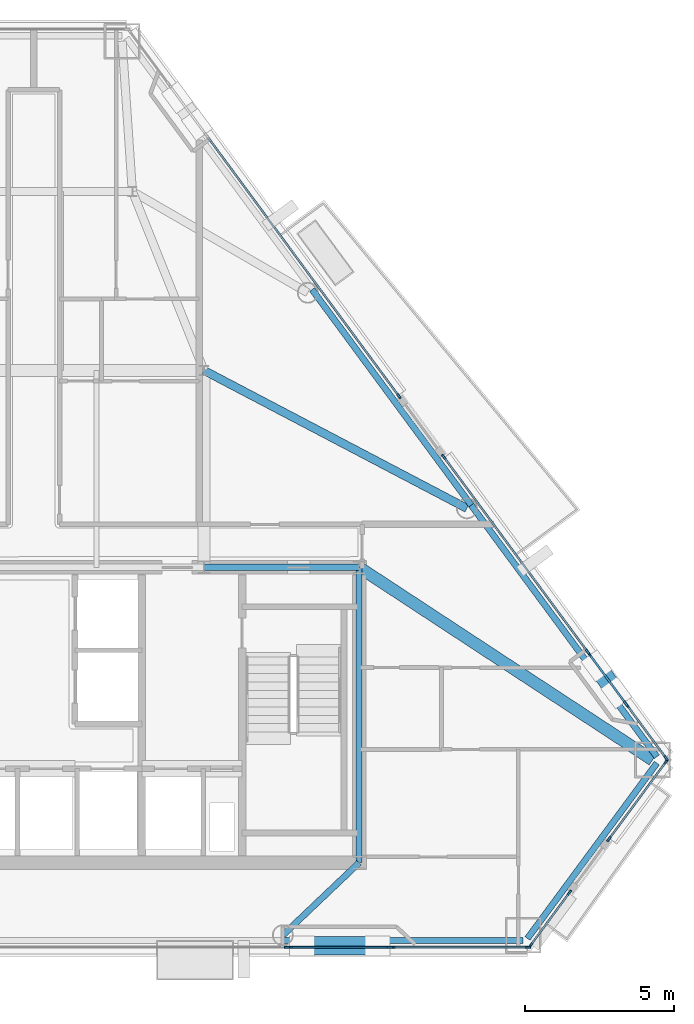
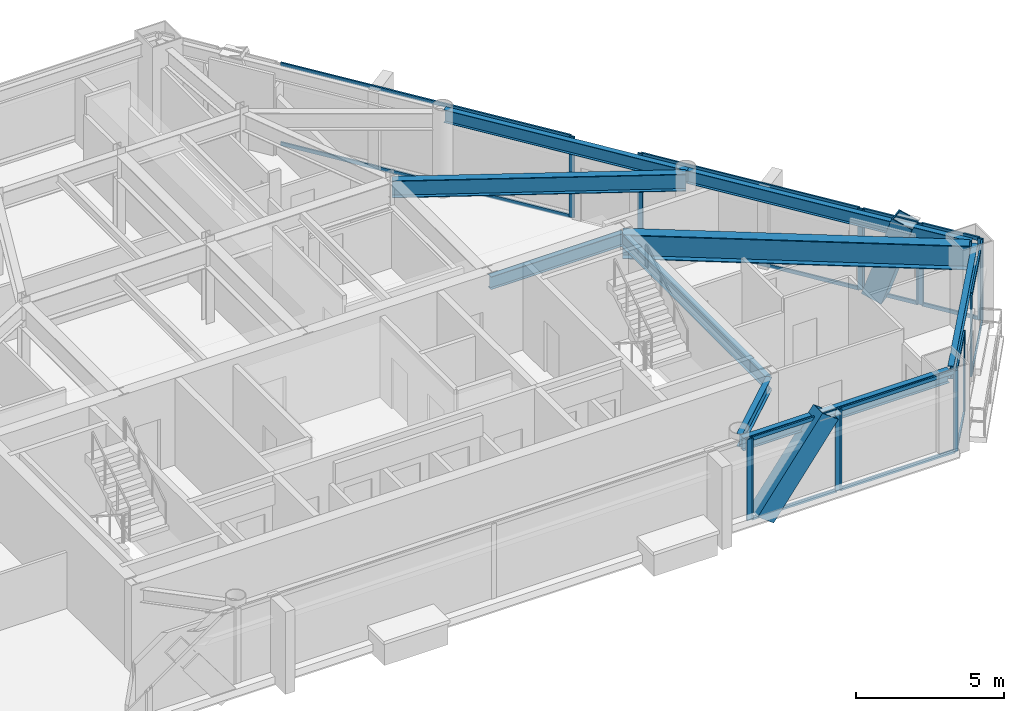
# One storey, part 5 of 11: 34 members, 9 beams, 9 elements without a shape of their own.
"""IFC4 building model written with IfcOpenShell, lengths in metres."""

from ifc_helpers import new_model, si_unit, direction, frame, origin, origin_2d, place, context, subcontext, project, spatial, rectangle, hollow_rectangle, i_section, extrude, material, layer, layer_set, material_profile, profile_set, type_object, element, aggregate, save


model = new_model("IFC4")

# Units and contexts
model_context = context("Model", 3, precision=1e-05, world=origin(), true_north=direction((0.0, 1.0)))
body_context = subcontext(model_context, "Body", "Model", "MODEL_VIEW")
ifc_project = project(units=[si_unit("LENGTHUNIT", "METRE"), si_unit("AREAUNIT", "SQUARE_METRE"), si_unit("VOLUMEUNIT", "CUBIC_METRE"), si_unit("PLANEANGLEUNIT", "RADIAN"), si_unit("MASSUNIT", "GRAM", prefix="KILO")], contexts=[model_context])

# Site, building, storey
site_placement = place(None, origin())
site = spatial("IfcSite", under=ifc_project, at=site_placement, CompositionType="ELEMENT")
building_placement = place(site_placement, origin())
building = spatial("IfcBuilding", under=site, at=building_placement, Name="Talgorran Terracotta Tower", CompositionType="ELEMENT")
storey_placement = place(building_placement, frame((0.0, 0.0, 161.699951171875)))
storey = spatial("IfcBuildingStorey", under=building, at=storey_placement, Name="L42", CompositionType="ELEMENT", Elevation=161.699951171875)

# Beams
ifc_material_1 = material(Name="Steel Grade 350 (350L0)", Category="steel")
ifc_material_profile_1 = material_profile(ifc_material_1, i_section(OverallWidth=0.39990234375, OverallDepth=1.0, WebThickness=0.01611328125, FlangeThickness=0.031005859375, at=origin_2d()), Name="1000WB296")
ifc_profile_set_1 = profile_set([ifc_material_profile_1], Name="Steel Grade 350 (350L0)")
beam_type_1 = type_object("IfcBeamType", Name="BM_1000WB296", PredefinedType="BEAM", material=ifc_profile_set_1)
beam_1_placement = place(storey_placement, frame((12.39990234375, -4.199951171875, 2.85009765625), z_axis=(0.836013696093, -0.548708574696, 0.0), x_axis=(0.548708574696, 0.836013696093, 0.0)))
element("IfcBeam", 1, at=beam_1_placement, inside=storey, type_object=beam_type_1, Name="L42 Floor Girder G18", PredefinedType="BEAM", context=body_context, shape_type="SweptSolid", body=[
    extrude(i_section(OverallWidth=0.39990234375, OverallDepth=1.0, WebThickness=0.01611328125, FlangeThickness=0.031005859375, at=origin_2d()), origin(), (0.0, 0.0, 1.0), 11.76318359375),
])
ifc_material_2 = material(Name="Steel S355 (300PLUS)", Category="steel")
ifc_material_profile_2 = material_profile(ifc_material_2, i_section(OverallWidth=0.27490234375, OverallDepth=0.7080078125, WebThickness=0.011962890625, FlangeThickness=0.02490234375, at=origin_2d()), Name="700WB173")
ifc_profile_set_2 = profile_set([ifc_material_profile_2], Name="Steel S355 (300PLUS)")
beam_type_2 = type_object("IfcBeamType", Name="BM_700WB173", PredefinedType="BEAM", material=ifc_profile_set_2)
beam_2_placement = place(storey_placement, frame((7.199951171875, 2.39990234375, 2.99609375), z_axis=(0.885527866822, -0.464586264414, 0.0), x_axis=(0.464586264414, 0.885527866822, 0.0)))
element("IfcBeam", 2, at=beam_2_placement, inside=storey, type_object=beam_type_2, Name="L42 Floor Girder G07", PredefinedType="BEAM", context=body_context, shape_type="SweptSolid", body=[
    extrude(i_section(OverallWidth=0.27490234375, OverallDepth=0.7080078125, WebThickness=0.011962890625, FlangeThickness=0.02490234375, at=origin_2d()), origin(), (0.0, 0.0, 1.0), 9.951416015625),
])
ifc_material_profile_3 = material_profile(ifc_material_2, i_section(OverallWidth=0.209228515625, OverallDepth=0.532958984375, WebThickness=0.01025390625, FlangeThickness=0.015625, at=origin_2d()), Name="530UB92.4")
ifc_profile_set_3 = profile_set([ifc_material_profile_3], Name="Steel S355 (300PLUS)")
beam_type_3 = type_object("IfcBeamType", Name="BM_SP_530UB92", PredefinedType="SPANDREL", material=ifc_profile_set_3)
beam_3_placement = place(storey_placement, frame((9.843994140625, -16.7099609375, 3.08349609375), z_axis=(1.0, 0.0, 0.0), x_axis=(0.0, 1.0, 0.0)))
element("IfcBeam", 3, at=beam_3_placement, inside=storey, type_object=beam_type_3, Name="L42 Perimeter Spandrel Beam FC2-MC3", PredefinedType="SPANDREL", context=body_context, shape_type="SweptSolid", body=[
    extrude(i_section(OverallWidth=0.209228515625, OverallDepth=0.532958984375, WebThickness=0.01025390625, FlangeThickness=0.015625, at=origin_2d()), origin(), (0.0, 0.0, 1.0), 8.05419921875),
])
beam_4_placement = place(storey_placement, frame((18.043212890625, -16.636962890625, 3.08349609375), z_axis=(0.593765719161, 0.804637974961, 0.0), x_axis=(-0.804637974961, 0.593765719161, 0.0)))
element("IfcBeam", 4, at=beam_4_placement, inside=storey, type_object=beam_type_3, Name="L42 Perimeter Spandrel Beam MC3-MC4", PredefinedType="SPANDREL", context=body_context, shape_type="SweptSolid", body=[
    extrude(i_section(OverallWidth=0.209228515625, OverallDepth=0.532958984375, WebThickness=0.01025390625, FlangeThickness=0.015625, at=origin_2d()), origin(), (0.0, 0.0, 1.0), 7.302001953125),
])
beam_5_placement = place(storey_placement, frame((22.37890625, -10.547607421875, 3.08349609375), z_axis=(-0.593786218479, 0.804622847516, 0.0), x_axis=(-0.804622847516, -0.593786218479, 0.0)))
element("IfcBeam", 5, at=beam_5_placement, inside=storey, type_object=beam_type_3, Name="L42 Perimeter Spandrel Beam MC4-FC3", PredefinedType="SPANDREL", context=body_context, shape_type="SweptSolid", body=[
    extrude(i_section(OverallWidth=0.209228515625, OverallDepth=0.532958984375, WebThickness=0.01025390625, FlangeThickness=0.015625, at=origin_2d()), origin(), (0.0, 0.0, 1.0), 10.478271484375),
])
beam_6_placement = place(storey_placement, frame((16.156982421875, -2.116455078125, 3.08349609375), z_axis=(-0.593775624387, 0.804630665513, 0.0), x_axis=(-0.804630665513, -0.593775624387, 0.0)))
element("IfcBeam", 6, at=beam_6_placement, inside=storey, type_object=beam_type_3, Name="L42 Perimeter Spandrel Beam FC3-FC4", PredefinedType="SPANDREL", context=body_context, shape_type="SweptSolid", body=[
    extrude(i_section(OverallWidth=0.209228515625, OverallDepth=0.532958984375, WebThickness=0.01025390625, FlangeThickness=0.015625, at=origin_2d()), origin(), (0.0, 0.0, 1.0), 8.9814453125),
])
beam_7_placement = place(storey_placement, frame((12.39990234375, -14.10009765625, 3.08349609375), z_axis=(-0.724741849636, -0.689020501426, 0.0), x_axis=(0.689020501426, -0.724741849636, 0.0)))
element("IfcBeam", 7, at=beam_7_placement, inside=storey, type_object=beam_type_3, Name="L42 South-East Core Tie Beam", PredefinedType="SPANDREL", context=body_context, shape_type="SweptSolid", body=[
    extrude(i_section(OverallWidth=0.209228515625, OverallDepth=0.532958984375, WebThickness=0.01025390625, FlangeThickness=0.015625, at=origin_2d()), origin(), (0.0, 0.0, 1.0), 3.526611328125),
])
beam_8_placement = place(storey_placement, frame((12.39990234375, -14.10009765625, 3.08349609375), z_axis=(0.0, 1.0, 0.0), x_axis=(-1.0, 0.0, 0.0)))
element("IfcBeam", 8, at=beam_8_placement, inside=storey, type_object=beam_type_3, Name="L42 Core Frame Beam CFE", PredefinedType="SPANDREL", context=body_context, shape_type="SweptSolid", body=[
    extrude(i_section(OverallWidth=0.209228515625, OverallDepth=0.532958984375, WebThickness=0.01025390625, FlangeThickness=0.015625, at=origin_2d()), origin(), (0.0, 0.0, 1.0), 9.900146484375),
])
beam_9_placement = place(storey_placement, frame((7.199951171875, -4.199951171875, 3.08349609375), z_axis=(1.0, 0.0, 0.0), x_axis=(0.0, 1.0, 0.0)))
element("IfcBeam", 9, at=beam_9_placement, inside=storey, type_object=beam_type_3, Name="L42 Core Frame Beam CFN4", PredefinedType="SPANDREL", context=body_context, shape_type="SweptSolid", body=[
    extrude(i_section(OverallWidth=0.209228515625, OverallDepth=0.532958984375, WebThickness=0.01025390625, FlangeThickness=0.015625, at=origin_2d()), origin(), (0.0, 0.0, 1.0), 5.199951171875),
])

# Members
ifc_material_profile_4 = material_profile(ifc_material_1, hollow_rectangle(XDim=0.6201171875, YDim=0.780029296875, WallThickness=0.0419921875, at=origin_2d()), Name="WBOX780X620X42")
ifc_profile_set_4 = profile_set([ifc_material_profile_4], Name="Steel Grade 350 (350L0)")
member_type_1 = type_object("IfcMemberType", Name="MB_MEGA_780", PredefinedType="BRACE", material=ifc_profile_set_4)
member_1_placement = place(storey_placement, frame((10.486328125, -16.889892578125, -0.02490234375), z_axis=(0.597176273235, 0.0, 0.802110029039), x_axis=(0.0, 1.0, 0.0)))
element("IfcMember", 10, at=member_1_placement, inside=storey, type_object=member_type_1, Name="L42 Exterior Face Mega-Brace MB-2 (SEF)", PredefinedType="BRACE", context=body_context, shape_type="SweptSolid", body=[
    extrude(hollow_rectangle(XDim=0.6201171875, YDim=0.780029296875, WallThickness=0.0419921875, at=origin_2d()), origin(), (0.0, 0.0, 1.0), 4.23876953125),
])
member_2_placement = place(storey_placement, frame((20.35400390625, -7.500732421875, -0.02490234375), z_axis=(0.186398629724, -0.252599459812, 0.949446714534), x_axis=(0.80464078172, 0.59376191558, 0.0)))
element("IfcMember", 11, at=member_2_placement, inside=storey, type_object=member_type_1, Name="L42 Exterior Face Mega-Brace MB-2 (NEL)", PredefinedType="BRACE", context=body_context, shape_type="SweptSolid", body=[
    extrude(hollow_rectangle(XDim=0.6201171875, YDim=0.780029296875, WallThickness=0.0419921875, at=origin_2d()), origin(), (0.0, 0.0, 1.0), 3.580810546875),
])

# Curtain wall, member
ifc_material_3 = material(Name="Unitised Low-E Double Glazing", Category="glass")
ifc_layer = layer(ifc_material_3, 0.199951171875, Name="CW_SYS2_RES_LOW")
ifc_layer_set = layer_set([ifc_layer], Name="Unitised Low-E Double Glazing")
curtain_wall_type = type_object("IfcCurtainWallType", Name="CW_SYS2_RES_LOW", PredefinedType="NOTDEFINED", material=ifc_layer_set)
curtain_wall_1_placement = place(storey_placement, origin())
curtain_wall_1 = element("IfcCurtainWall", 12, at=curtain_wall_1_placement, inside=storey, type_object=curtain_wall_type, Name="CW-L42-F1C", PredefinedType="NOTDEFINED")
ifc_material_4 = material(Name="Architectural Aluminium 6063-T6", Category="aluminium")
ifc_material_profile_5 = material_profile(ifc_material_4, rectangle(XDim=0.06494140625, YDim=0.18505859375, at=origin_2d()), Name="CWM65X185")
ifc_profile_set_5 = profile_set([ifc_material_profile_5], Name="Architectural Aluminium 6063-T6")
member_type_2 = type_object("IfcMemberType", Name="MUL_65X185", PredefinedType="MULLION", material=ifc_profile_set_5)
member_3_placement = place(storey_placement, frame((9.986083984375, -16.929931640625, 0.0), z_axis=(0.0, 0.0, 1.0), x_axis=(0.0, 1.0, 0.0)))
member_3 = element("IfcMember", 13, at=member_3_placement, type_object=member_type_2, Name="CW-L42-1C mullion 3", PredefinedType="MULLION", context=body_context, shape_type="SweptSolid", body=[
    extrude(rectangle(XDim=0.06494140625, YDim=0.18505859375, at=origin_2d()), origin(), (0.0, 0.0, 1.0), 3.35009765625),
])
aggregate(curtain_wall_1, [member_3])

# Curtain wall, members
curtain_wall_2_placement = place(storey_placement, origin())
curtain_wall_2 = element("IfcCurtainWall", 14, at=curtain_wall_2_placement, inside=storey, type_object=curtain_wall_type, Name="CW-L42-F1D", PredefinedType="NOTDEFINED")
member_4_placement = place(storey_placement, frame((10.06103515625, -16.929931640625, 0.0), z_axis=(0.0, 0.0, 1.0), x_axis=(0.0, 1.0, 0.0)))
member_4 = element("IfcMember", 15, at=member_4_placement, type_object=member_type_2, Name="CW-L42-1D mullion 1", PredefinedType="MULLION", context=body_context, shape_type="SweptSolid", body=[
    extrude(rectangle(XDim=0.06494140625, YDim=0.18505859375, at=origin_2d()), origin(), (0.0, 0.0, 1.0), 3.35009765625),
])
member_5_placement = place(storey_placement, frame((13.44287109375, -16.929931640625, 0.0), z_axis=(0.0, 0.0, 1.0), x_axis=(0.0, 1.0, 0.0)))
member_5 = element("IfcMember", 16, at=member_5_placement, type_object=member_type_2, Name="CW-L42-1D mullion 2", PredefinedType="MULLION", context=body_context, shape_type="SweptSolid", body=[
    extrude(rectangle(XDim=0.06494140625, YDim=0.18505859375, at=origin_2d()), origin(), (0.0, 0.0, 1.0), 3.35009765625),
])

curtain_wall_3_placement = place(storey_placement, origin())
curtain_wall_3 = element("IfcCurtainWall", 17, at=curtain_wall_3_placement, inside=storey, type_object=curtain_wall_type, Name="CW-L42-F1E", PredefinedType="NOTDEFINED")
member_6_placement = place(storey_placement, frame((13.517822265625, -16.929931640625, 0.0), z_axis=(0.0, 0.0, 1.0), x_axis=(0.0, 1.0, 0.0)))
member_6 = element("IfcMember", 18, at=member_6_placement, type_object=member_type_2, Name="CW-L42-1E mullion 1", PredefinedType="MULLION", context=body_context, shape_type="SweptSolid", body=[
    extrude(rectangle(XDim=0.06494140625, YDim=0.18505859375, at=origin_2d()), origin(), (0.0, 0.0, 1.0), 3.35009765625),
])
member_7_placement = place(storey_placement, frame((18.067626953125, -16.929931640625, 0.0), z_axis=(0.0, 0.0, 1.0), x_axis=(0.0, 1.0, 0.0)))
member_7 = element("IfcMember", 19, at=member_7_placement, type_object=member_type_2, Name="CW-L42-1E mullion 2", PredefinedType="MULLION", context=body_context, shape_type="SweptSolid", body=[
    extrude(rectangle(XDim=0.06494140625, YDim=0.18505859375, at=origin_2d()), origin(), (0.0, 0.0, 1.0), 3.35009765625),
])

curtain_wall_4_placement = place(storey_placement, origin())
curtain_wall_4 = element("IfcCurtainWall", 20, at=curtain_wall_4_placement, inside=storey, type_object=curtain_wall_type, Name="CW-L42-F30", PredefinedType="NOTDEFINED")
member_8_placement = place(storey_placement, frame((18.143310546875, -16.87158203125, 0.0), z_axis=(0.0, 0.0, 1.0), x_axis=(-0.80463283964, 0.593772678196, 0.0)))
member_8 = element("IfcMember", 21, at=member_8_placement, type_object=member_type_2, Name="CW-L42-30 mullion 1", PredefinedType="MULLION", context=body_context, shape_type="SweptSolid", body=[
    extrude(rectangle(XDim=0.06494140625, YDim=0.18505859375, at=origin_2d()), origin(), (0.0, 0.0, 1.0), 3.35009765625),
])
member_9_placement = place(storey_placement, frame((19.44970703125, -15.1015625, 0.0), z_axis=(0.0, 0.0, 1.0), x_axis=(-0.80463283964, 0.593772678196, 0.0)))
member_9 = element("IfcMember", 22, at=member_9_placement, type_object=member_type_2, Name="CW-L42-30 mullion 2", PredefinedType="MULLION", context=body_context, shape_type="SweptSolid", body=[
    extrude(rectangle(XDim=0.06494140625, YDim=0.18505859375, at=origin_2d()), origin(), (0.0, 0.0, 1.0), 3.35009765625),
])

curtain_wall_5_placement = place(storey_placement, origin())
curtain_wall_5 = element("IfcCurtainWall", 23, at=curtain_wall_5_placement, inside=storey, type_object=curtain_wall_type, Name="CW-L42-F31", PredefinedType="NOTDEFINED")
member_10_placement = place(storey_placement, frame((20.770751953125, -13.31103515625, 0.0), z_axis=(0.0, 0.0, 1.0), x_axis=(-0.804620699263, 0.593789129504, 0.0)))
member_10 = element("IfcMember", 24, at=member_10_placement, type_object=member_type_2, Name="CW-L42-31 mullion 1", PredefinedType="MULLION", context=body_context, shape_type="SweptSolid", body=[
    extrude(rectangle(XDim=0.06494140625, YDim=0.18505859375, at=origin_2d()), origin(), (0.0, 0.0, 1.0), 3.35009765625),
])
member_11_placement = place(storey_placement, frame((22.688232421875, -10.712890625, 0.0), z_axis=(0.0, 0.0, 1.0), x_axis=(-0.804620699263, 0.593789129504, 0.0)))
member_11 = element("IfcMember", 25, at=member_11_placement, type_object=member_type_2, Name="CW-L42-31 mullion 2", PredefinedType="MULLION", context=body_context, shape_type="SweptSolid", body=[
    extrude(rectangle(XDim=0.06494140625, YDim=0.18505859375, at=origin_2d()), origin(), (0.0, 0.0, 1.0), 3.35009765625),
])

curtain_wall_6_placement = place(storey_placement, origin())
curtain_wall_6 = element("IfcCurtainWall", 26, at=curtain_wall_6_placement, inside=storey, type_object=curtain_wall_type, Name="CW-L42-F40", PredefinedType="NOTDEFINED")
member_12_placement = place(storey_placement, frame((22.688232421875, -10.59619140625, 0.0), z_axis=(0.0, 0.0, 1.0), x_axis=(-0.804617372813, -0.593793637022, 0.0)))
member_12 = element("IfcMember", 27, at=member_12_placement, type_object=member_type_2, Name="CW-L42-40 mullion 1", PredefinedType="MULLION", context=body_context, shape_type="SweptSolid", body=[
    extrude(rectangle(XDim=0.06494140625, YDim=0.18505859375, at=origin_2d()), origin(), (0.0, 0.0, 1.0), 3.35009765625),
])
member_13_placement = place(storey_placement, frame((21.385009765625, -8.830322265625, 0.0), z_axis=(0.0, 0.0, 1.0), x_axis=(-0.804617372813, -0.593793637022, 0.0)))
member_13 = element("IfcMember", 28, at=member_13_placement, type_object=member_type_2, Name="CW-L42-40 mullion 2", PredefinedType="MULLION", context=body_context, shape_type="SweptSolid", body=[
    extrude(rectangle(XDim=0.06494140625, YDim=0.18505859375, at=origin_2d()), origin(), (0.0, 0.0, 1.0), 3.35009765625),
])

curtain_wall_7_placement = place(storey_placement, origin())
curtain_wall_7 = element("IfcCurtainWall", 29, at=curtain_wall_7_placement, inside=storey, type_object=curtain_wall_type, Name="CW-L42-F40B", PredefinedType="NOTDEFINED")
member_14_placement = place(storey_placement, frame((21.340576171875, -8.77001953125, 0.0), z_axis=(0.0, 0.0, 1.0), x_axis=(-0.804620536141, -0.593789350545, 0.0)))
member_14 = element("IfcMember", 30, at=member_14_placement, type_object=member_type_2, Name="CW-L42-40B mullion 1", PredefinedType="MULLION", context=body_context, shape_type="SweptSolid", body=[
    extrude(rectangle(XDim=0.06494140625, YDim=0.18505859375, at=origin_2d()), origin(), (0.0, 0.0, 1.0), 3.35009765625),
])
member_15_placement = place(storey_placement, frame((20.099609375, -7.08837890625, 0.0), z_axis=(0.0, 0.0, 1.0), x_axis=(-0.804620536141, -0.593789350545, 0.0)))
member_15 = element("IfcMember", 31, at=member_15_placement, type_object=member_type_2, Name="CW-L42-40B mullion 2", PredefinedType="MULLION", context=body_context, shape_type="SweptSolid", body=[
    extrude(rectangle(XDim=0.06494140625, YDim=0.18505859375, at=origin_2d()), origin(), (0.0, 0.0, 1.0), 3.35009765625),
])

curtain_wall_8_placement = place(storey_placement, origin())
curtain_wall_8 = element("IfcCurtainWall", 32, at=curtain_wall_8_placement, inside=storey, type_object=curtain_wall_type, Name="CW-L42-F40C", PredefinedType="NOTDEFINED")
member_16_placement = place(storey_placement, frame((20.054931640625, -7.028076171875, 0.0), z_axis=(0.0, 0.0, 1.0), x_axis=(-0.804623837747, -0.593784876642, 0.0)))
member_16 = element("IfcMember", 33, at=member_16_placement, type_object=member_type_2, Name="CW-L42-40C mullion 1", PredefinedType="MULLION", context=body_context, shape_type="SweptSolid", body=[
    extrude(rectangle(XDim=0.06494140625, YDim=0.18505859375, at=origin_2d()), origin(), (0.0, 0.0, 1.0), 3.35009765625),
])
member_17_placement = place(storey_placement, frame((15.23388671875, -0.4951171875, 0.0), z_axis=(0.0, 0.0, 1.0), x_axis=(-0.804623837747, -0.593784876642, 0.0)))
member_17 = element("IfcMember", 34, at=member_17_placement, type_object=member_type_2, Name="CW-L42-40C mullion 2", PredefinedType="MULLION", context=body_context, shape_type="SweptSolid", body=[
    extrude(rectangle(XDim=0.06494140625, YDim=0.18505859375, at=origin_2d()), origin(), (0.0, 0.0, 1.0), 3.35009765625),
])

# Curtain wall, member
curtain_wall_9_placement = place(storey_placement, origin())
curtain_wall_9 = element("IfcCurtainWall", 35, at=curtain_wall_9_placement, inside=storey, type_object=curtain_wall_type, Name="CW-L42-F41", PredefinedType="NOTDEFINED")
member_18_placement = place(storey_placement, frame((13.734619140625, 1.53662109375, 0.0), z_axis=(0.0, 0.0, 1.0), x_axis=(-0.804623873719, -0.593784827898, 0.0)))
member_18 = element("IfcMember", 36, at=member_18_placement, type_object=member_type_2, Name="CW-L42-41 mullion 1", PredefinedType="MULLION", context=body_context, shape_type="SweptSolid", body=[
    extrude(rectangle(XDim=0.06494140625, YDim=0.18505859375, at=origin_2d()), origin(), (0.0, 0.0, 1.0), 3.35009765625),
])

# Member
ifc_material_profile_6 = material_profile(ifc_material_4, rectangle(XDim=0.06494140625, YDim=0.14990234375, at=origin_2d()), Name="CWT65X150")
ifc_profile_set_6 = profile_set([ifc_material_profile_6], Name="Architectural Aluminium 6063-T6")
member_type_3 = type_object("IfcMemberType", Name="TRN_65X150", PredefinedType="USERDEFINED", material=ifc_profile_set_6)
member_19_placement = place(storey_placement, frame((10.093505859375, -16.929931640625, 0.032470703125), z_axis=(1.0, 0.0, 0.0), x_axis=(0.0, 1.0, 0.0)))
member_19 = element("IfcMember", 37, at=member_19_placement, type_object=member_type_3, Name="CW-L42-1D transom 1.1", ObjectType="TRANSOM", PredefinedType="USERDEFINED", context=body_context, shape_type="SweptSolid", body=[
    extrude(rectangle(XDim=0.06494140625, YDim=0.14990234375, at=origin_2d()), origin(), (0.0, 0.0, 1.0), 3.31689453125),
])

member_20_placement = place(storey_placement, frame((10.093505859375, -16.929931640625, 3.317626953125), z_axis=(1.0, 0.0, 0.0), x_axis=(0.0, 1.0, 0.0)))
member_20 = element("IfcMember", 38, at=member_20_placement, type_object=member_type_3, Name="CW-L42-1D transom 1.2", ObjectType="TRANSOM", PredefinedType="USERDEFINED", context=body_context, shape_type="SweptSolid", body=[
    extrude(rectangle(XDim=0.06494140625, YDim=0.14990234375, at=origin_2d()), origin(), (0.0, 0.0, 1.0), 3.31689453125),
])

aggregate(curtain_wall_2, [member_4, member_5, member_19, member_20])

member_21_placement = place(storey_placement, frame((13.55029296875, -16.929931640625, 0.032470703125), z_axis=(1.0, 0.0, 0.0), x_axis=(0.0, 1.0, 0.0)))
member_21 = element("IfcMember", 39, at=member_21_placement, type_object=member_type_3, Name="CW-L42-1E transom 1.1", ObjectType="TRANSOM", PredefinedType="USERDEFINED", context=body_context, shape_type="SweptSolid", body=[
    extrude(rectangle(XDim=0.06494140625, YDim=0.14990234375, at=origin_2d()), origin(), (0.0, 0.0, 1.0), 4.48486328125),
])

member_22_placement = place(storey_placement, frame((13.55029296875, -16.929931640625, 3.317626953125), z_axis=(1.0, 0.0, 0.0), x_axis=(0.0, 1.0, 0.0)))
member_22 = element("IfcMember", 40, at=member_22_placement, type_object=member_type_3, Name="CW-L42-1E transom 1.2", ObjectType="TRANSOM", PredefinedType="USERDEFINED", context=body_context, shape_type="SweptSolid", body=[
    extrude(rectangle(XDim=0.06494140625, YDim=0.14990234375, at=origin_2d()), origin(), (0.0, 0.0, 1.0), 4.48486328125),
])

aggregate(curtain_wall_3, [member_6, member_7, member_21, member_22])

member_23_placement = place(storey_placement, frame((18.16259765625, -16.845458984375, 0.032470703125), z_axis=(0.593834671659, 0.804587088348, 0.0), x_axis=(-0.804587088348, 0.593834671659, 0.0)))
member_23 = element("IfcMember", 41, at=member_23_placement, type_object=member_type_3, Name="CW-L42-30 transom 1.1", ObjectType="TRANSOM", PredefinedType="USERDEFINED", context=body_context, shape_type="SweptSolid", body=[
    extrude(rectangle(XDim=0.06494140625, YDim=0.14990234375, at=origin_2d()), origin(), (0.0, 0.0, 1.0), 2.135009765625),
])

member_24_placement = place(storey_placement, frame((18.16259765625, -16.845458984375, 3.317626953125), z_axis=(0.593834671659, 0.804587088348, 0.0), x_axis=(-0.804587088348, 0.593834671659, 0.0)))
member_24 = element("IfcMember", 42, at=member_24_placement, type_object=member_type_3, Name="CW-L42-30 transom 1.2", ObjectType="TRANSOM", PredefinedType="USERDEFINED", context=body_context, shape_type="SweptSolid", body=[
    extrude(rectangle(XDim=0.06494140625, YDim=0.14990234375, at=origin_2d()), origin(), (0.0, 0.0, 1.0), 2.135009765625),
])

aggregate(curtain_wall_4, [member_8, member_9, member_23, member_24])

member_25_placement = place(storey_placement, frame((20.7900390625, -13.284912109375, 0.032470703125), z_axis=(0.593809483815, 0.804605677914, 0.0), x_axis=(-0.804605677914, 0.593809483815, 0.0)))
member_25 = element("IfcMember", 43, at=member_25_placement, type_object=member_type_3, Name="CW-L42-31 transom 1.1", ObjectType="TRANSOM", PredefinedType="USERDEFINED", context=body_context, shape_type="SweptSolid", body=[
    extrude(rectangle(XDim=0.06494140625, YDim=0.14990234375, at=origin_2d()), origin(), (0.0, 0.0, 1.0), 3.1640625),
])

member_26_placement = place(storey_placement, frame((20.7900390625, -13.284912109375, 3.317626953125), z_axis=(0.593809483815, 0.804605677914, 0.0), x_axis=(-0.804605677914, 0.593809483815, 0.0)))
member_26 = element("IfcMember", 44, at=member_26_placement, type_object=member_type_3, Name="CW-L42-31 transom 1.2", ObjectType="TRANSOM", PredefinedType="USERDEFINED", context=body_context, shape_type="SweptSolid", body=[
    extrude(rectangle(XDim=0.06494140625, YDim=0.14990234375, at=origin_2d()), origin(), (0.0, 0.0, 1.0), 3.1640625),
])

aggregate(curtain_wall_5, [member_10, member_11, member_25, member_26])

member_27_placement = place(storey_placement, frame((22.6689453125, -10.570068359375, 0.032470703125), z_axis=(-0.593801057654, 0.804611896462, 0.0), x_axis=(-0.804611896462, -0.593801057654, 0.0)))
member_27 = element("IfcMember", 45, at=member_27_placement, type_object=member_type_3, Name="CW-L42-40 transom 1.1", ObjectType="TRANSOM", PredefinedType="USERDEFINED", context=body_context, shape_type="SweptSolid", body=[
    extrude(rectangle(XDim=0.06494140625, YDim=0.14990234375, at=origin_2d()), origin(), (0.0, 0.0, 1.0), 2.129638671875),
])

member_28_placement = place(storey_placement, frame((22.6689453125, -10.570068359375, 3.317626953125), z_axis=(-0.593801057654, 0.804611896462, 0.0), x_axis=(-0.804611896462, -0.593801057654, 0.0)))
member_28 = element("IfcMember", 46, at=member_28_placement, type_object=member_type_3, Name="CW-L42-40 transom 1.2", ObjectType="TRANSOM", PredefinedType="USERDEFINED", context=body_context, shape_type="SweptSolid", body=[
    extrude(rectangle(XDim=0.06494140625, YDim=0.14990234375, at=origin_2d()), origin(), (0.0, 0.0, 1.0), 2.129638671875),
])

aggregate(curtain_wall_6, [member_12, member_13, member_27, member_28])

member_29_placement = place(storey_placement, frame((21.3212890625, -8.743896484375, 0.032470703125), z_axis=(-0.593770532456, 0.804634423068, 0.0), x_axis=(-0.804634423068, -0.593770532456, 0.0)))
member_29 = element("IfcMember", 47, at=member_29_placement, type_object=member_type_3, Name="CW-L42-40B transom 1.1", ObjectType="TRANSOM", PredefinedType="USERDEFINED", context=body_context, shape_type="SweptSolid", body=[
    extrude(rectangle(XDim=0.06494140625, YDim=0.14990234375, at=origin_2d()), origin(), (0.0, 0.0, 1.0), 2.02490234375),
])

member_30_placement = place(storey_placement, frame((21.3212890625, -8.743896484375, 3.317626953125), z_axis=(-0.593770532456, 0.804634423068, 0.0), x_axis=(-0.804634423068, -0.593770532456, 0.0)))
member_30 = element("IfcMember", 48, at=member_30_placement, type_object=member_type_3, Name="CW-L42-40B transom 1.2", ObjectType="TRANSOM", PredefinedType="USERDEFINED", context=body_context, shape_type="SweptSolid", body=[
    extrude(rectangle(XDim=0.06494140625, YDim=0.14990234375, at=origin_2d()), origin(), (0.0, 0.0, 1.0), 2.02490234375),
])

aggregate(curtain_wall_7, [member_14, member_15, member_29, member_30])

member_31_placement = place(storey_placement, frame((20.03564453125, -7.001953125, 0.032470703125), z_axis=(-0.59377894524, 0.804628214886, 0.0), x_axis=(-0.804628214886, -0.59377894524, 0.0)))
member_31 = element("IfcMember", 49, at=member_31_placement, type_object=member_type_3, Name="CW-L42-40C transom 1.1", ObjectType="TRANSOM", PredefinedType="USERDEFINED", context=body_context, shape_type="SweptSolid", body=[
    extrude(rectangle(XDim=0.06494140625, YDim=0.14990234375, at=origin_2d()), origin(), (0.0, 0.0, 1.0), 8.05419921875),
])

member_32_placement = place(storey_placement, frame((20.03564453125, -7.001953125, 3.317626953125), z_axis=(-0.59377894524, 0.804628214886, 0.0), x_axis=(-0.804628214886, -0.59377894524, 0.0)))
member_32 = element("IfcMember", 50, at=member_32_placement, type_object=member_type_3, Name="CW-L42-40C transom 1.2", ObjectType="TRANSOM", PredefinedType="USERDEFINED", context=body_context, shape_type="SweptSolid", body=[
    extrude(rectangle(XDim=0.06494140625, YDim=0.14990234375, at=origin_2d()), origin(), (0.0, 0.0, 1.0), 8.05419921875),
])

aggregate(curtain_wall_8, [member_16, member_17, member_31, member_32])

member_33_placement = place(storey_placement, frame((13.715087890625, 1.562744140625, 0.032470703125), z_axis=(-0.593784557411, 0.804624073329, 0.0), x_axis=(-0.804624073329, -0.593784557411, 0.0)))
member_33 = element("IfcMember", 51, at=member_33_placement, type_object=member_type_3, Name="CW-L42-41 transom 1.1", ObjectType="TRANSOM", PredefinedType="USERDEFINED", context=body_context, shape_type="SweptSolid", body=[
    extrude(rectangle(XDim=0.06494140625, YDim=0.14990234375, at=origin_2d()), origin(), (0.0, 0.0, 1.0), 10.721435546875),
])

member_34_placement = place(storey_placement, frame((13.715087890625, 1.562744140625, 3.317626953125), z_axis=(-0.593784557411, 0.804624073329, 0.0), x_axis=(-0.804624073329, -0.593784557411, 0.0)))
member_34 = element("IfcMember", 52, at=member_34_placement, type_object=member_type_3, Name="CW-L42-41 transom 1.2", ObjectType="TRANSOM", PredefinedType="USERDEFINED", context=body_context, shape_type="SweptSolid", body=[
    extrude(rectangle(XDim=0.06494140625, YDim=0.14990234375, at=origin_2d()), origin(), (0.0, 0.0, 1.0), 10.721435546875),
])

aggregate(curtain_wall_9, [member_18, member_33, member_34])

save(model, "model.ifc")
